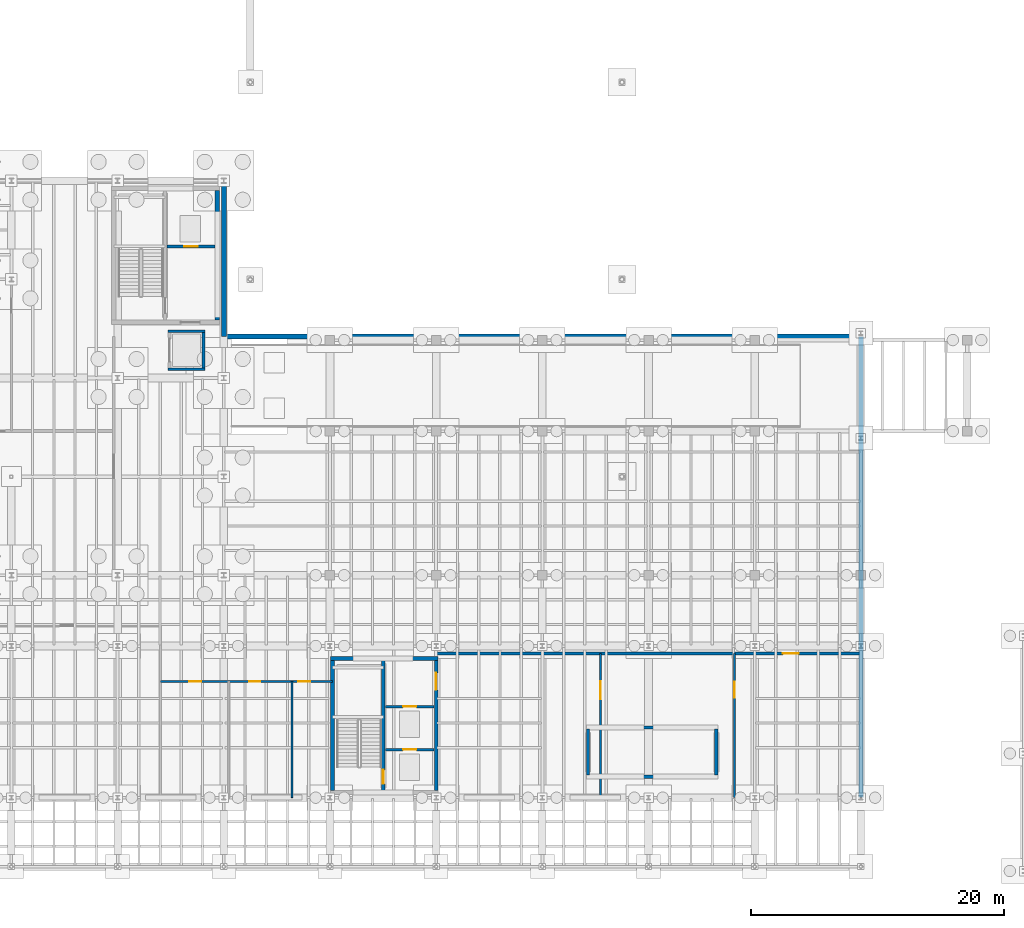
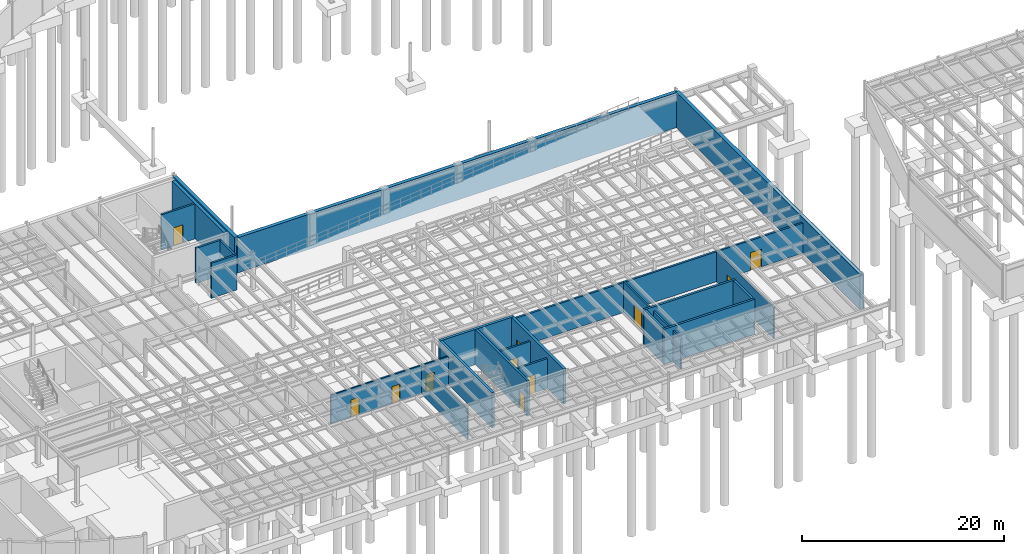
# One storey, part 35 of 41: 23 walls, 11 doors, 11 openings.
"""IFC4 building model written with IfcOpenShell, lengths in metres."""

from ifc_helpers import new_model, si_unit, direction, frame, frame_2d, origin, place, context, subcontext, project, spatial, rectangle, extrude, material, layer, layer_set, type_object, element, fill, save


model = new_model("IFC4")

# Units and contexts
model_context = context("Model", 3, precision=1e-05, world=origin(), true_north=direction((0.0, 1.0)))
body_context = subcontext(model_context, "Body", "Model", "MODEL_VIEW")
ifc_project = project(units=[si_unit("LENGTHUNIT", "METRE"), si_unit("AREAUNIT", "SQUARE_METRE"), si_unit("VOLUMEUNIT", "CUBIC_METRE"), si_unit("PLANEANGLEUNIT", "RADIAN"), si_unit("MASSUNIT", "GRAM", prefix="KILO")], contexts=[model_context])

# Site, building, storey
site_placement = place(None, origin())
site = spatial("IfcSite", under=ifc_project, at=site_placement, CompositionType="ELEMENT")
building_placement = place(site_placement, origin())
building = spatial("IfcBuilding", under=site, at=building_placement, Name="Selat Folded Stagehouse", CompositionType="ELEMENT")
storey_placement = place(building_placement, frame((0.0, 0.0, -4.5)))
storey = spatial("IfcBuildingStorey", under=building, at=storey_placement, Name="B1", CompositionType="ELEMENT", Elevation=-4.5)

# Wall, opening, door
ifc_material_1 = material(Name="Concrete C40/50", Category="concrete")
ifc_layer_1 = layer(ifc_material_1, 0.179931640625)
ifc_layer_set_1 = layer_set([ifc_layer_1], Name="Concrete C40/50")
wall_type_1 = type_object("IfcWallType", Name="WAL-COMP-180", PredefinedType="STANDARD", material=ifc_layer_set_1)
wall_1_placement = place(storey_placement, frame((97.0, 5.800048828125, 0.0), z_axis=(0.0, 0.0, 1.0), x_axis=(0.0, 1.0, 0.0)))
wall_1 = element("IfcWall", 1, at=wall_1_placement, inside=storey, type_object=wall_type_1, Name="B1 interior partition wall 011", PredefinedType="STANDARD", context=body_context, shape_type="SweptSolid", body=[
    extrude(rectangle(XDim=11.39990234375, YDim=0.179931640625, at=frame_2d((5.699951171875, 0.0))), origin(), (0.0, 0.0, 1.0), 3.708740234375),
])
opening_1_placement = place(wall_1_placement, frame((7.784423828125, 0.0, 0.0)))
opening_1 = element("IfcOpeningElement", 2, at=opening_1_placement, cuts=wall_1, Name="Opening PD-02A", PredefinedType="OPENING", context=body_context, shape_type="SweptSolid", body=[
    extrude(rectangle(XDim=1.419921875, YDim=2.199951171875, at=frame_2d((0.7099609375, 1.10009765625))), frame((0.0, 0.099853515625, 0.0), z_axis=(0.0, -1.0, 0.0), x_axis=(1.0, 0.0, 0.0)), (0.0, 0.0, 1.0), 0.199951171875),
])
ifc_material_2 = material(Name="Pump room steel door", Category="steel")
door_type_1 = type_object("IfcDoorType", Name="DOR-PLT-1420", OperationType="NOTDEFINED", PredefinedType="DOOR", material=ifc_material_2)
door_1_placement = place(opening_1_placement, origin())
door_1 = element("IfcDoor", 3, at=door_1_placement, inside=storey, type_object=door_type_1, Name="B1 interior door IWAL-B1-011-1", OperationType="SINGLE_SWING_LEFT", OverallHeight=2.199951171875, OverallWidth=1.419921875, PredefinedType="DOOR", context=body_context, shape_type="SweptSolid", body=[
    extrude(rectangle(XDim=1.419921875, YDim=2.199951171875, at=frame_2d((0.7099609375, 1.10009765625))), frame((0.0, 0.02490234375, 0.0), z_axis=(0.0, -1.0, 0.0), x_axis=(1.0, 0.0, 0.0)), (0.0, 0.0, 1.0), 0.050048828125),
])
fill(opening_1, door_1)

wall_2_placement = place(storey_placement, frame((107.60009765625, 5.800048828125, 0.0), z_axis=(0.0, 0.0, 1.0), x_axis=(0.0, 1.0, 0.0)))
wall_2 = element("IfcWall", 4, at=wall_2_placement, inside=storey, type_object=wall_type_1, Name="B1 interior partition wall 012", PredefinedType="STANDARD", context=body_context, shape_type="SweptSolid", body=[
    extrude(rectangle(XDim=11.39990234375, YDim=0.179931640625, at=frame_2d((5.699951171875, 0.0))), origin(), (0.0, 0.0, 1.0), 3.708740234375),
])
opening_2_placement = place(wall_2_placement, frame((7.9169921875, 0.0, 0.0)))
opening_2 = element("IfcOpeningElement", 5, at=opening_2_placement, cuts=wall_2, Name="Opening PD-02", PredefinedType="OPENING", context=body_context, shape_type="SweptSolid", body=[
    extrude(rectangle(XDim=1.25, YDim=2.14990234375, at=frame_2d((0.625, 1.074951171875))), frame((0.0, 0.099853515625, 0.0), z_axis=(0.0, -1.0, 0.0), x_axis=(1.0, 0.0, 0.0)), (0.0, 0.0, 1.0), 0.199951171875),
])
ifc_material_3 = material(Name="Electrical switchroom steel door", Category="steel")
door_type_2 = type_object("IfcDoorType", Name="DOR-PLT-1250", OperationType="NOTDEFINED", PredefinedType="DOOR", material=ifc_material_3)
door_2_placement = place(opening_2_placement, origin())
door_2 = element("IfcDoor", 6, at=door_2_placement, inside=storey, type_object=door_type_2, Name="B1 interior door IWAL-B1-012-1", OperationType="SINGLE_SWING_RIGHT", OverallHeight=2.14990234375, OverallWidth=1.25, PredefinedType="DOOR", context=body_context, shape_type="SweptSolid", body=[
    extrude(rectangle(XDim=1.25, YDim=2.14990234375, at=frame_2d((0.625, 1.074951171875))), frame((0.0, 0.02490234375, 0.0), z_axis=(0.0, -1.0, 0.0), x_axis=(1.0, 0.0, 0.0)), (0.0, 0.0, 1.0), 0.050048828125),
])
fill(opening_2, door_2)

ifc_layer_2 = layer(ifc_material_1, 0.215087890625)
ifc_layer_set_2 = layer_set([ifc_layer_2], Name="Concrete C40/50")
wall_type_2 = type_object("IfcWallType", Name="WAL-COMP-215", PredefinedType="STANDARD", material=ifc_layer_set_2)
wall_3_placement = place(storey_placement, frame((62.7099609375, 49.39990234375, 0.0), z_axis=(0.0, 0.0, 1.0), x_axis=(1.0, 0.0, 0.0)))
wall_3 = element("IfcWall", 7, at=wall_3_placement, inside=storey, type_object=wall_type_2, Name="B1 FL-02 lift shaft front wall", PredefinedType="STANDARD", context=body_context, shape_type="SweptSolid", body=[
    extrude(rectangle(XDim=3.794921875, YDim=0.215087890625, at=frame_2d((1.8974609375, 0.0))), origin(), (0.0, 0.0, 1.0), 4.241943359375),
])
opening_3_placement = place(wall_3_placement, frame((1.347412109375, 0.0, 0.0)))
opening_3 = element("IfcOpeningElement", 8, at=opening_3_placement, cuts=wall_3, Name="Opening LD-01", PredefinedType="OPENING", context=body_context, shape_type="SweptSolid", body=[
    extrude(rectangle(XDim=1.10009765625, YDim=2.199951171875, at=frame_2d((0.550048828125, 1.10009765625))), frame((0.0, 0.117431640625, 0.0), z_axis=(0.0, -1.0, 0.0), x_axis=(1.0, 0.0, 0.0)), (0.0, 0.0, 1.0), 0.235107421875),
])
ifc_material_4 = material(Name="Firefighting lift stainless sliding landing door", Category="wood")
door_type_3 = type_object("IfcDoorType", Name="DOR-LFT-1100", OperationType="NOTDEFINED", PredefinedType="DOOR", material=ifc_material_4)
door_3_placement = place(opening_3_placement, origin())
door_3 = element("IfcDoor", 9, at=door_3_placement, inside=storey, type_object=door_type_3, Name="B1 FL-02 lift sliding landing door", OperationType="SLIDING_TO_RIGHT", OverallHeight=2.199951171875, OverallWidth=1.10009765625, PredefinedType="DOOR", context=body_context, shape_type="SweptSolid", body=[
    extrude(rectangle(XDim=1.10009765625, YDim=2.199951171875, at=frame_2d((0.550048828125, 1.10009765625))), frame((0.0, 0.02490234375, 0.0), z_axis=(0.0, -1.0, 0.0), x_axis=(1.0, 0.0, 0.0)), (0.0, 0.0, 1.0), 0.050048828125),
])
fill(opening_3, door_3)

# Walls
for number, where, z_axis, x_axis, name in (
    (10, (65.70751953125, 39.699951171875, 0.0), (0.0, 0.0, 1.0), (-1.0, 0.0, 0.0), "B1 GL-01 south shaft wall"),
    (11, (62.79248046875, 42.699951171875, 0.0), (0.0, 0.0, 1.0), (1.0, 0.0, 0.0), "B1 GL-01 north shaft wall"),
):
    element("IfcWall", number, at=place(storey_placement, frame(where, z_axis=z_axis, x_axis=x_axis)), inside=storey, type_object=wall_type_2, Name=name, PredefinedType="STANDARD", context=body_context, shape_type="SweptSolid", body=[
        extrude(rectangle(XDim=2.9150390625, YDim=0.215087890625, at=frame_2d((1.45751953125, 0.0))), origin(), (0.0, 0.0, 1.0), 4.241943359375),
    ])
wall_4_placement = place(storey_placement, frame((65.60009765625, 42.592529296875, 0.0), z_axis=(0.0, 0.0, 1.0), x_axis=(0.0, -1.0, 0.0)))
element("IfcWall", 12, at=wall_4_placement, inside=storey, type_object=wall_type_2, Name="B1 GL-01 east shaft wall", PredefinedType="STANDARD", context=body_context, shape_type="SweptSolid", body=[
    extrude(rectangle(XDim=2.784912109375, YDim=0.215087890625, at=frame_2d((1.392578125, 0.0))), origin(), (0.0, 0.0, 1.0), 4.241943359375),
])

# Wall, opening, door
wall_5_placement = place(storey_placement, frame((79.97998046875, 9.60009765625, 0.0), z_axis=(0.0, 0.0, 1.0), x_axis=(1.0, 0.0, 0.0)))
wall_5 = element("IfcWall", 13, at=wall_5_placement, inside=storey, type_object=wall_type_2, Name="B1 PL-01 lift shaft front wall", PredefinedType="STANDARD", context=body_context, shape_type="SweptSolid", body=[
    extrude(rectangle(XDim=3.85009765625, YDim=0.215087890625, at=frame_2d((1.925048828125, 0.0))), origin(), (0.0, 0.0, 1.0), 3.624755859375),
])
opening_4_placement = place(wall_5_placement, frame((1.39990234375, 0.0, 0.0)))
opening_4 = element("IfcOpeningElement", 14, at=opening_4_placement, cuts=wall_5, Name="Opening LD-03", PredefinedType="OPENING", context=body_context, shape_type="SweptSolid", body=[
    extrude(rectangle(XDim=1.050048828125, YDim=2.14990234375, at=frame_2d((0.52490234375, 1.074951171875))), frame((0.0, 0.117431640625, 0.0), z_axis=(0.0, -1.0, 0.0), x_axis=(1.0, 0.0, 0.0)), (0.0, 0.0, 1.0), 0.235107421875),
])
ifc_material_5 = material(Name="Passenger lift stainless sliding landing door", Category="wood")
door_type_4 = type_object("IfcDoorType", Name="DOR-LFT-1050", OperationType="NOTDEFINED", PredefinedType="DOOR", material=ifc_material_5)
door_4_placement = place(opening_4_placement, origin())
door_4 = element("IfcDoor", 15, at=door_4_placement, inside=storey, type_object=door_type_4, Name="B1 PL-01 lift sliding landing door", OperationType="SLIDING_TO_LEFT", OverallHeight=2.14990234375, OverallWidth=1.050048828125, PredefinedType="DOOR", context=body_context, shape_type="SweptSolid", body=[
    extrude(rectangle(XDim=1.050048828125, YDim=2.14990234375, at=frame_2d((0.52490234375, 1.074951171875))), frame((0.0, 0.02490234375, 0.0), z_axis=(0.0, -1.0, 0.0), x_axis=(1.0, 0.0, 0.0)), (0.0, 0.0, 1.0), 0.050048828125),
])
fill(opening_4, door_4)

wall_6_placement = place(storey_placement, frame((79.97998046875, 13.0, 0.0), z_axis=(0.0, 0.0, 1.0), x_axis=(1.0, 0.0, 0.0)))
wall_6 = element("IfcWall", 16, at=wall_6_placement, inside=storey, type_object=wall_type_2, Name="B1 PL-02 lift shaft front wall", PredefinedType="STANDARD", context=body_context, shape_type="SweptSolid", body=[
    extrude(rectangle(XDim=3.85009765625, YDim=0.215087890625, at=frame_2d((1.925048828125, 0.0))), origin(), (0.0, 0.0, 1.0), 3.624755859375),
])
opening_5_placement = place(wall_6_placement, frame((1.39990234375, 0.0, 0.0)))
opening_5 = element("IfcOpeningElement", 17, at=opening_5_placement, cuts=wall_6, Name="Opening LD-03", PredefinedType="OPENING", context=body_context, shape_type="SweptSolid", body=[
    extrude(rectangle(XDim=1.050048828125, YDim=2.14990234375, at=frame_2d((0.52490234375, 1.074951171875))), frame((0.0, 0.117431640625, 0.0), z_axis=(0.0, -1.0, 0.0), x_axis=(1.0, 0.0, 0.0)), (0.0, 0.0, 1.0), 0.235107421875),
])
door_5_placement = place(opening_5_placement, origin())
door_5 = element("IfcDoor", 18, at=door_5_placement, inside=storey, type_object=door_type_4, Name="B1 PL-02 lift sliding landing door", OperationType="SLIDING_TO_RIGHT", OverallHeight=2.14990234375, OverallWidth=1.050048828125, PredefinedType="DOOR", context=body_context, shape_type="SweptSolid", body=[
    extrude(rectangle(XDim=1.050048828125, YDim=2.14990234375, at=frame_2d((0.52490234375, 1.074951171875))), frame((0.0, 0.02490234375, 0.0), z_axis=(0.0, -1.0, 0.0), x_axis=(1.0, 0.0, 0.0)), (0.0, 0.0, 1.0), 0.050048828125),
])
fill(opening_5, door_5)

wall_7_placement = place(storey_placement, frame((84.0, 17.199951171875, 0.0), z_axis=(0.0, 0.0, 1.0), x_axis=(1.0, 0.0, 0.0)))
wall_7 = element("IfcWall", 19, at=wall_7_placement, inside=storey, type_object=wall_type_2, Name="B1 interior partition wall 010", PredefinedType="STANDARD", context=body_context, shape_type="SweptSolid", body=[
    extrude(rectangle(XDim=33.60009765625, YDim=0.215087890625, at=frame_2d((16.800048828125, 0.0))), origin(), (0.0, 0.0, 1.0), 3.624755859375),
])
opening_6_placement = place(wall_7_placement, frame((27.432861328125, 0.0, 0.0)))
opening_6 = element("IfcOpeningElement", 20, at=opening_6_placement, cuts=wall_7, Name="Opening PD-02", PredefinedType="OPENING", context=body_context, shape_type="SweptSolid", body=[
    extrude(rectangle(XDim=1.25, YDim=2.14990234375, at=frame_2d((0.625, 1.074951171875))), frame((0.0, 0.117431640625, 0.0), z_axis=(0.0, -1.0, 0.0), x_axis=(1.0, 0.0, 0.0)), (0.0, 0.0, 1.0), 0.235107421875),
])
door_6_placement = place(opening_6_placement, origin())
door_6 = element("IfcDoor", 21, at=door_6_placement, inside=storey, type_object=door_type_2, Name="B1 interior door IWAL-B1-010-1", OperationType="SINGLE_SWING_RIGHT", OverallHeight=2.14990234375, OverallWidth=1.25, PredefinedType="DOOR", context=body_context, shape_type="SweptSolid", body=[
    extrude(rectangle(XDim=1.25, YDim=2.14990234375, at=frame_2d((0.625, 1.074951171875))), frame((0.0, 0.02490234375, 0.0), z_axis=(0.0, -1.0, 0.0), x_axis=(1.0, 0.0, 0.0)), (0.0, 0.0, 1.0), 0.050048828125),
])
fill(opening_6, door_6)

# Walls
ifc_material_6 = material(Name="Concrete C50/60", Category="concrete")
ifc_layer_3 = layer(ifc_material_6, 0.25)
ifc_layer_set_3 = layer_set([ifc_layer_3], Name="Concrete C50/60")
wall_type_3 = type_object("IfcWallType", Name="WAL-CORE-250", PredefinedType="SHEAR", material=ifc_layer_set_3)
for number, where, z_axis, x_axis, name in (
    (22, (106.284912109375, 7.4599609375, 0.0), (0.0, 0.0, 1.0), (-1.0, 0.0, 0.0), "B1 ST-08 substructure stem wall S"),
    (23, (95.875, 11.340087890625, 0.0), (0.0, 0.0, 1.0), (1.0, 0.0, 0.0), "B1 ST-08 substructure stem wall N"),
):
    element("IfcWall", number, at=place(storey_placement, frame(where, z_axis=z_axis, x_axis=x_axis)), inside=storey, type_object=wall_type_3, Name=name, PredefinedType="SHEAR", context=body_context, shape_type="SweptSolid", body=[
        extrude(rectangle(XDim=10.409912109375, YDim=0.25, at=frame_2d((5.205078125, 0.0))), origin(), (0.0, 0.0, 1.0), 4.239990234375),
    ])
for number, where, z_axis, x_axis, name in (
    (24, (96.0, 7.5849609375, 0.0), (0.0, 0.0, 1.0), (0.0, 1.0, 0.0), "B1 ST-08 substructure stem wall W"),
    (25, (106.159912109375, 11.215087890625, 0.0), (0.0, 0.0, 1.0), (0.0, -1.0, 0.0), "B1 ST-08 substructure stem wall E"),
):
    element("IfcWall", number, at=place(storey_placement, frame(where, z_axis=z_axis, x_axis=x_axis)), inside=storey, type_object=wall_type_3, Name=name, PredefinedType="SHEAR", context=body_context, shape_type="SweptSolid", body=[
        extrude(rectangle(XDim=3.630126953125, YDim=0.25, at=frame_2d((1.81494140625, 0.0))), origin(), (0.0, 0.0, 1.0), 4.239990234375),
    ])

# Wall, opening, door
wall_8_placement = place(storey_placement, frame((79.820068359375, 16.64990234375, 0.0), z_axis=(0.0, 0.0, 1.0), x_axis=(0.0, -1.0, 0.0)))
wall_8 = element("IfcWall", 26, at=wall_8_placement, inside=storey, type_object=wall_type_3, Name="B1 CR-3 internal core divider wall", PredefinedType="SHEAR", context=body_context, shape_type="SweptSolid", body=[
    extrude(rectangle(XDim=10.2998046875, YDim=0.25, at=frame_2d((5.14990234375, 0.0))), origin(), (0.0, 0.0, 1.0), 4.25),
])
opening_7_placement = place(wall_8_placement, frame((8.64990234375, 0.0, 0.0)))
opening_7 = element("IfcOpeningElement", 27, at=opening_7_placement, cuts=wall_8, Name="Opening FD-60", PredefinedType="OPENING", context=body_context, shape_type="SweptSolid", body=[
    extrude(rectangle(XDim=1.10009765625, YDim=2.14990234375, at=frame_2d((0.550048828125, 1.074951171875))), frame((0.0, 0.135009765625, 0.0), z_axis=(0.0, -1.0, 0.0), x_axis=(1.0, 0.0, 0.0)), (0.0, 0.0, 1.0), 0.27001953125),
])
ifc_material_7 = material(Name="Fire-rated timber core door", Category="wood")
door_type_5 = type_object("IfcDoorType", Name="DOR-FIRE-60", OperationType="NOTDEFINED", PredefinedType="DOOR", material=ifc_material_7)
door_7_placement = place(opening_7_placement, origin())
door_7 = element("IfcDoor", 28, at=door_7_placement, inside=storey, type_object=door_type_5, Name="B1 CR-3 protected stair fire door", OperationType="SINGLE_SWING_LEFT", OverallHeight=2.14990234375, OverallWidth=1.10009765625, PredefinedType="DOOR", context=body_context, shape_type="SweptSolid", body=[
    extrude(rectangle(XDim=1.10009765625, YDim=2.14990234375, at=frame_2d((0.550048828125, 1.074951171875))), frame((0.0, 0.02490234375, 0.0), z_axis=(0.0, -1.0, 0.0), x_axis=(1.0, 0.0, 0.0)), (0.0, 0.0, 1.0), 0.050048828125),
])
fill(opening_7, door_7)

# Wall
ifc_material_8 = material(Name="Sanitary cistern chase wall", Category="gypsum")
ifc_layer_4 = layer(ifc_material_8, 0.135009765625)
ifc_layer_set_4 = layer_set([ifc_layer_4], Name="Sanitary cistern chase wall")
wall_type_4 = type_object("IfcWallType", Name="WAL-PLMB-135", PredefinedType="PLUMBINGWALL", material=ifc_layer_set_4)
wall_9_placement = place(storey_placement, frame((72.60009765625, 5.800048828125, 0.0), z_axis=(0.0, 0.0, 1.0), x_axis=(0.0, 1.0, 0.0)))
element("IfcWall", 29, at=wall_9_placement, inside=storey, type_object=wall_type_4, Name="B1 interior partition wall 009", PredefinedType="PLUMBINGWALL", context=body_context, shape_type="SweptSolid", body=[
    extrude(rectangle(XDim=9.199951171875, YDim=0.135009765625, at=frame_2d((4.60009765625, 0.0))), origin(), (0.0, 0.0, 1.0), 3.708740234375),
])

# Wall, openings, doors
ifc_material_9 = material(Name="Moisture-resistant sanitary service wall", Category="gypsum")
ifc_layer_5 = layer(ifc_material_9, 0.159912109375)
ifc_layer_set_5 = layer_set([ifc_layer_5], Name="Moisture-resistant sanitary service wall")
wall_type_5 = type_object("IfcWallType", Name="WAL-PLMB-160", PredefinedType="PLUMBINGWALL", material=ifc_layer_set_5)
wall_10_placement = place(storey_placement, frame((62.199951171875, 15.0, 0.0), z_axis=(0.0, 0.0, 1.0), x_axis=(1.0, 0.0, 0.0)))
wall_10 = element("IfcWall", 30, at=wall_10_placement, inside=storey, type_object=wall_type_5, Name="B1 interior partition wall 007", PredefinedType="PLUMBINGWALL", context=body_context, shape_type="SweptSolid", body=[
    extrude(rectangle(XDim=13.60009765625, YDim=0.159912109375, at=frame_2d((6.800048828125, 0.0))), origin(), (0.0, 0.0, 1.0), 3.47216796875),
])
opening_8_placement = place(wall_10_placement, frame((2.277099609375, 0.0, 0.0)))
opening_8 = element("IfcOpeningElement", 31, at=opening_8_placement, cuts=wall_10, Name="Opening ID-04", PredefinedType="OPENING", context=body_context, shape_type="SweptSolid", body=[
    extrude(rectangle(XDim=0.949951171875, YDim=2.10009765625, at=frame_2d((0.47509765625, 1.050048828125))), frame((0.0, 0.08984375, 0.0), z_axis=(0.0, -1.0, 0.0), x_axis=(1.0, 0.0, 0.0)), (0.0, 0.0, 1.0), 0.179931640625),
])
opening_9_placement = place(wall_10_placement, frame((6.99609375, 0.0, 0.0)))
opening_9 = element("IfcOpeningElement", 32, at=opening_9_placement, cuts=wall_10, Name="Opening ID-05", PredefinedType="OPENING", context=body_context, shape_type="SweptSolid", body=[
    extrude(rectangle(XDim=0.8798828125, YDim=2.050048828125, at=frame_2d((0.43994140625, 1.02490234375))), frame((0.0, 0.08984375, 0.0), z_axis=(0.0, -1.0, 0.0), x_axis=(1.0, 0.0, 0.0)), (0.0, 0.0, 1.0), 0.179931640625),
])
opening_10_placement = place(wall_10_placement, frame((10.87890625, 0.0, 0.0)))
opening_10 = element("IfcOpeningElement", 33, at=opening_10_placement, cuts=wall_10, Name="Opening ID-04", PredefinedType="OPENING", context=body_context, shape_type="SweptSolid", body=[
    extrude(rectangle(XDim=0.949951171875, YDim=2.10009765625, at=frame_2d((0.47509765625, 1.050048828125))), frame((0.0, 0.08984375, 0.0), z_axis=(0.0, -1.0, 0.0), x_axis=(1.0, 0.0, 0.0)), (0.0, 0.0, 1.0), 0.179931640625),
])
ifc_material_10 = material(Name="Sanitary room single door", Category="wood")
door_type_6 = type_object("IfcDoorType", Name="DOR-WC-0880", OperationType="NOTDEFINED", PredefinedType="DOOR", material=ifc_material_10)
door_8_placement = place(opening_9_placement, origin())
door_8 = element("IfcDoor", 34, at=door_8_placement, inside=storey, type_object=door_type_6, Name="B1 interior door IWAL-B1-007-2", OperationType="SINGLE_SWING_RIGHT", OverallHeight=2.050048828125, OverallWidth=0.8798828125, PredefinedType="DOOR", context=body_context, shape_type="SweptSolid", body=[
    extrude(rectangle(XDim=0.8798828125, YDim=2.050048828125, at=frame_2d((0.43994140625, 1.02490234375))), frame((0.0, 0.02490234375, 0.0), z_axis=(0.0, -1.0, 0.0), x_axis=(1.0, 0.0, 0.0)), (0.0, 0.0, 1.0), 0.050048828125),
])
fill(opening_9, door_8)
ifc_material_11 = material(Name="Accessible toilet outward-opening door", Category="wood")
door_type_7 = type_object("IfcDoorType", Name="DOR-WC-0950", OperationType="NOTDEFINED", PredefinedType="DOOR", material=ifc_material_11)
door_9_placement = place(opening_8_placement, origin())
door_9 = element("IfcDoor", 35, at=door_9_placement, inside=storey, type_object=door_type_7, Name="B1 interior door IWAL-B1-007-1", OperationType="SINGLE_SWING_LEFT", OverallHeight=2.10009765625, OverallWidth=0.949951171875, PredefinedType="DOOR", context=body_context, shape_type="SweptSolid", body=[
    extrude(rectangle(XDim=0.949951171875, YDim=2.10009765625, at=frame_2d((0.47509765625, 1.050048828125))), frame((0.0, 0.02490234375, 0.0), z_axis=(0.0, -1.0, 0.0), x_axis=(1.0, 0.0, 0.0)), (0.0, 0.0, 1.0), 0.050048828125),
])
fill(opening_8, door_9)
door_10_placement = place(opening_10_placement, origin())
door_10 = element("IfcDoor", 36, at=door_10_placement, inside=storey, type_object=door_type_7, Name="B1 interior door IWAL-B1-007-3", OperationType="SINGLE_SWING_LEFT", OverallHeight=2.10009765625, OverallWidth=0.949951171875, PredefinedType="DOOR", context=body_context, shape_type="SweptSolid", body=[
    extrude(rectangle(XDim=0.949951171875, YDim=2.10009765625, at=frame_2d((0.47509765625, 1.050048828125))), frame((0.0, 0.02490234375, 0.0), z_axis=(0.0, -1.0, 0.0), x_axis=(1.0, 0.0, 0.0)), (0.0, 0.0, 1.0), 0.050048828125),
])
fill(opening_10, door_10)

# Walls
ifc_layer_6 = layer(ifc_material_1, 0.39990234375)
ifc_layer_set_6 = layer_set([ifc_layer_6], Name="Concrete C40/50")
wall_type_6 = type_object("IfcWallType", Name="WAL-RET-400", PredefinedType="USERDEFINED", material=ifc_layer_set_6)
wall_11_placement = place(storey_placement, frame((67.199951171875, 54.60009765625, 0.0), z_axis=(0.0, 0.0, 1.0), x_axis=(0.0, -1.0, 0.0)))
element("IfcWall", 37, at=wall_11_placement, inside=storey, type_object=wall_type_6, Name="B1 perimeter retaining wall 03", ObjectType="RETAININGWALL", PredefinedType="USERDEFINED", context=body_context, shape_type="SweptSolid", body=[
    extrude(rectangle(XDim=12.300048828125, YDim=0.39990234375, at=frame_2d((6.14990234375, 0.0))), origin(), (0.0, 0.0, 1.0), 4.239990234375),
])
wall_12_placement = place(storey_placement, frame((67.199951171875, 42.300048828125, 0.0), z_axis=(0.0, 0.0, 1.0), x_axis=(1.0, 0.0, 0.0)))
element("IfcWall", 38, at=wall_12_placement, inside=storey, type_object=wall_type_6, Name="B1 perimeter retaining wall 04", ObjectType="RETAININGWALL", PredefinedType="USERDEFINED", context=body_context, shape_type="SweptSolid", body=[
    extrude(rectangle(XDim=50.400146484375, YDim=0.39990234375, at=frame_2d((25.2001953125, 0.0))), origin(), (0.0, 0.0, 1.0), 4.239990234375),
])
wall_13_placement = place(storey_placement, frame((117.60009765625, 42.300048828125, 0.0), z_axis=(0.0, 0.0, 1.0), x_axis=(0.0, -1.0, 0.0)))
element("IfcWall", 39, at=wall_13_placement, inside=storey, type_object=wall_type_6, Name="B1 perimeter retaining wall 05", ObjectType="RETAININGWALL", PredefinedType="USERDEFINED", context=body_context, shape_type="SweptSolid", body=[
    extrude(rectangle(XDim=36.5, YDim=0.39990234375, at=frame_2d((18.25, 0.0))), origin(), (0.0, 0.0, 1.0), 4.239990234375),
])
ifc_layer_7 = layer(ifc_material_6, 0.300048828125)
ifc_layer_set_7 = layer_set([ifc_layer_7], Name="Concrete C50/60")
wall_type_7 = type_object("IfcWallType", Name="WAL-SW-300", PredefinedType="SHEAR", material=ifc_layer_set_7)
wall_14_placement = place(storey_placement, frame((75.64990234375, 16.800048828125, 0.0), z_axis=(0.0, 0.0, 1.0), x_axis=(1.0, 0.0, 0.0)))
element("IfcWall", 40, at=wall_14_placement, inside=storey, type_object=wall_type_7, Name="B1 CR-3 north shear wall", PredefinedType="SHEAR", context=body_context, shape_type="SweptSolid", body=[
    extrude(rectangle(XDim=8.5, YDim=0.300048828125, at=frame_2d((4.25, 0.0))), origin(), (0.0, 0.0, 1.0), 4.25),
])
wall_15_placement = place(storey_placement, frame((75.800048828125, 6.35009765625, 0.0), z_axis=(0.0, 0.0, 1.0), x_axis=(0.0, 1.0, 0.0)))
element("IfcWall", 41, at=wall_15_placement, inside=storey, type_object=wall_type_7, Name="B1 CR-3 west shear wall", PredefinedType="SHEAR", context=body_context, shape_type="SweptSolid", body=[
    extrude(rectangle(XDim=10.2998046875, YDim=0.300048828125, at=frame_2d((5.14990234375, 0.0))), origin(), (0.0, 0.0, 1.0), 4.25),
])

# Wall, opening, door
wall_16_placement = place(storey_placement, frame((84.0, 16.64990234375, 0.0), z_axis=(0.0, 0.0, 1.0), x_axis=(0.0, -1.0, 0.0)))
wall_16 = element("IfcWall", 42, at=wall_16_placement, inside=storey, type_object=wall_type_7, Name="B1 CR-3 east shear wall", PredefinedType="SHEAR", context=body_context, shape_type="SweptSolid", body=[
    extrude(rectangle(XDim=10.2998046875, YDim=0.300048828125, at=frame_2d((5.14990234375, 0.0))), origin(), (0.0, 0.0, 1.0), 4.25),
])
opening_11_placement = place(wall_16_placement, frame((0.97509765625, 0.0, 0.0)))
opening_11 = element("IfcOpeningElement", 43, at=opening_11_placement, cuts=wall_16, Name="Opening FD-60B", PredefinedType="OPENING", context=body_context, shape_type="SweptSolid", body=[
    extrude(rectangle(XDim=1.35009765625, YDim=2.14990234375, at=frame_2d((0.675048828125, 1.074951171875))), frame((0.0, 0.159912109375, 0.0), z_axis=(0.0, -1.0, 0.0), x_axis=(1.0, 0.0, 0.0)), (0.0, 0.0, 1.0), 0.320068359375),
])
ifc_material_12 = material(Name="Protected stair escape door", Category="wood")
door_type_8 = type_object("IfcDoorType", Name="DOR-STR-1350", OperationType="NOTDEFINED", PredefinedType="DOOR", material=ifc_material_12)
door_11_placement = place(opening_11_placement, origin())
door_11 = element("IfcDoor", 44, at=door_11_placement, inside=storey, type_object=door_type_8, Name="B1 CR-3 core lobby fire door", OperationType="SINGLE_SWING_RIGHT", OverallHeight=2.14990234375, OverallWidth=1.35009765625, PredefinedType="DOOR", context=body_context, shape_type="SweptSolid", body=[
    extrude(rectangle(XDim=1.35009765625, YDim=2.14990234375, at=frame_2d((0.675048828125, 1.074951171875))), frame((0.0, 0.02490234375, 0.0), z_axis=(0.0, -1.0, 0.0), x_axis=(1.0, 0.0, 0.0)), (0.0, 0.0, 1.0), 0.050048828125),
])
fill(opening_11, door_11)

# Wall
ifc_layer_8 = layer(ifc_material_6, 0.35009765625)
ifc_layer_set_8 = layer_set([ifc_layer_8], Name="Concrete C50/60")
wall_type_8 = type_object("IfcWallType", Name="WAL-SW-350", PredefinedType="SHEAR", material=ifc_layer_set_8)
wall_17_placement = place(storey_placement, frame((66.699951171875, 53.824951171875, 0.0), z_axis=(0.0, 0.0, 1.0), x_axis=(0.0, -1.0, 0.0)))
element("IfcWall", 45, at=wall_17_placement, inside=storey, type_object=wall_type_8, Name="B1 CR-2 east shear wall", PredefinedType="SHEAR", context=body_context, shape_type="SweptSolid", body=[
    extrude(rectangle(XDim=10.25, YDim=0.35009765625, at=frame_2d((5.125, 0.0))), origin(), (0.0, 0.0, 1.0), 4.25),
])

save(model, "model.ifc")
